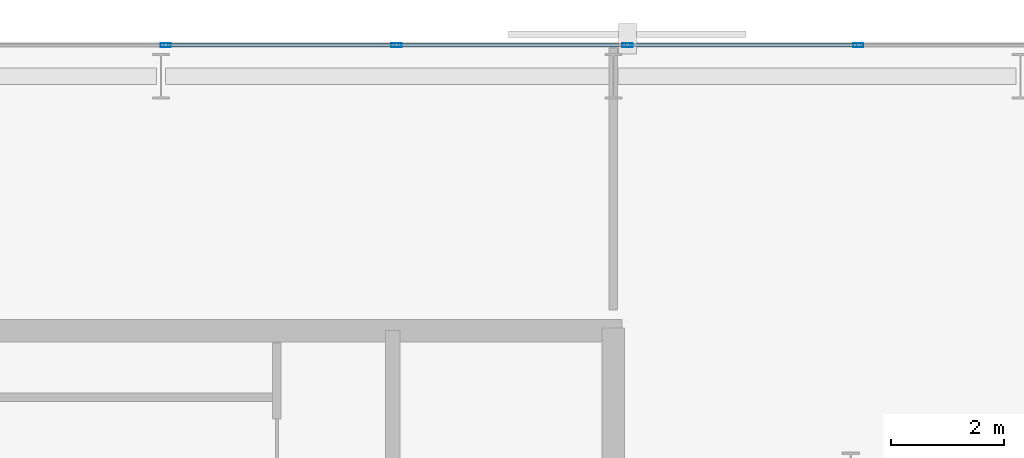
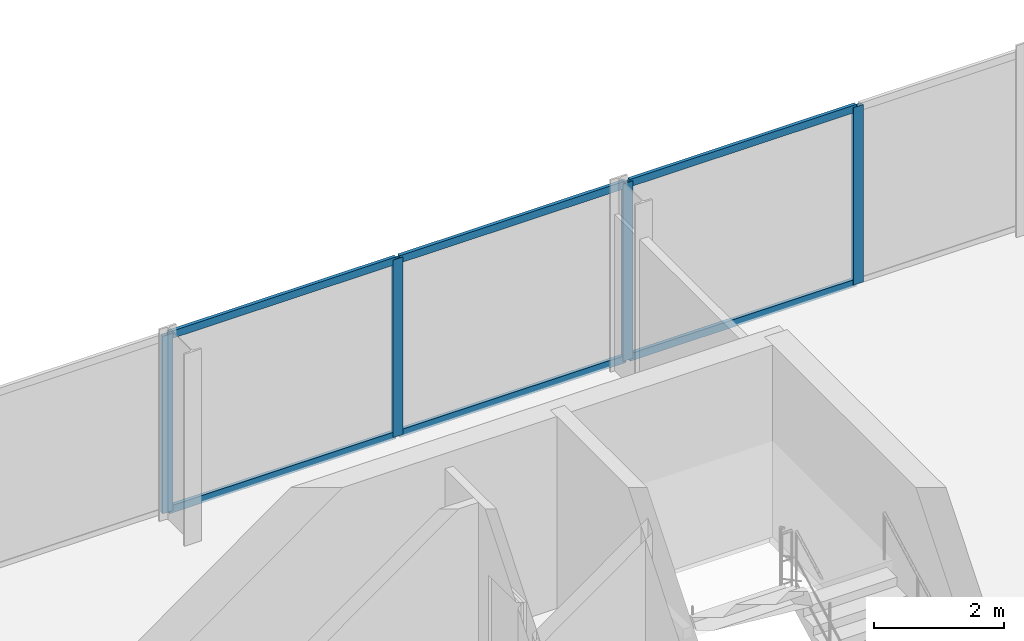
# One storey, part 26 of 33: 10 members, 1 element without a shape of its own.
"""IFC4 building model written with IfcOpenShell, lengths in metres."""

from ifc_helpers import new_model, si_unit, direction, frame, origin, origin_2d, place, context, subcontext, project, spatial, hollow_rectangle, extrude, material, layer, layer_set, material_profile, profile_set, type_object, element, aggregate, save


model = new_model("IFC4")

# Units and contexts
model_context = context("Model", 3, precision=1e-05, world=origin(), true_north=direction((0.0, 1.0)))
body_context = subcontext(model_context, "Body", "Model", "MODEL_VIEW")
ifc_project = project(units=[si_unit("LENGTHUNIT", "METRE"), si_unit("AREAUNIT", "SQUARE_METRE"), si_unit("VOLUMEUNIT", "CUBIC_METRE"), si_unit("PLANEANGLEUNIT", "RADIAN"), si_unit("MASSUNIT", "GRAM", prefix="KILO")], contexts=[model_context])

# Site, building, storey
site_placement = place(None, origin())
site = spatial("IfcSite", under=ifc_project, at=site_placement, CompositionType="ELEMENT")
building_placement = place(site_placement, origin())
building = spatial("IfcBuilding", under=site, at=building_placement, Name="Catumbela Crestline Tower", CompositionType="ELEMENT")
storey_placement = place(building_placement, frame((0.0, 0.0, 58.2)))
storey = spatial("IfcBuildingStorey", under=building, at=storey_placement, Name="L14", CompositionType="ELEMENT", Elevation=58.2)

# Curtain wall, members
ifc_material = material(Name="Aluminium alloy AW-6060-T66", Category="aluminium")
ifc_layer = layer(ifc_material, 0.18, Name="Aluminium alloy AW-6060-T66")
ifc_layer_set = layer_set([ifc_layer], Name="Aluminium alloy AW-6060-T66")
curtain_wall_type = type_object("IfcCurtainWallType", Name="CWU-Z1", PredefinedType="USERDEFINED", material=ifc_layer_set)
curtain_wall_placement = place(storey_placement, origin())
curtain_wall = element("IfcCurtainWall", 1, at=curtain_wall_placement, inside=storey, type_object=curtain_wall_type, Name="L14 Unitised Curtain Wall CW-L14-E7S1", ObjectType="UNITISED", PredefinedType="USERDEFINED")
ifc_material_profile_1 = material_profile(ifc_material, hollow_rectangle(XDim=0.065, YDim=0.18, WallThickness=0.004, at=origin_2d()), Name="ALU 180x65x4")
ifc_profile_set_1 = profile_set([ifc_material_profile_1], Name="Aluminium alloy AW-6060-T66")
member_type_1 = type_object("IfcMemberType", Name="MUL-180X65", PredefinedType="MULLION", material=ifc_profile_set_1)
member_1_placement = place(storey_placement, frame((44.3333, 47.95, 0.0), z_axis=(0.0, 0.0, 1.0), x_axis=(0.0, -1.0, 0.0)))
member_1 = element("IfcMember", 2, at=member_1_placement, type_object=member_type_1, Name="CWU-Z1 mullion 3", PredefinedType="MULLION", context=body_context, shape_type="SweptSolid", body=[
    extrude(hollow_rectangle(XDim=0.065, YDim=0.18, WallThickness=0.004, at=origin_2d()), origin(), (0.0, 0.0, 1.0), 3.33),
])
member_2_placement = place(storey_placement, frame((40.25, 47.95, 0.0), z_axis=(0.0, 0.0, 1.0), x_axis=(0.0, -1.0, 0.0)))
member_2 = element("IfcMember", 3, at=member_2_placement, type_object=member_type_1, Name="CWU-Z1 mullion 4", PredefinedType="MULLION", context=body_context, shape_type="SweptSolid", body=[
    extrude(hollow_rectangle(XDim=0.065, YDim=0.18, WallThickness=0.004, at=origin_2d()), origin(), (0.0, 0.0, 1.0), 3.33),
])
member_3_placement = place(storey_placement, frame((36.1667, 47.95, 0.0), z_axis=(0.0, 0.0, 1.0), x_axis=(0.0, -1.0, 0.0)))
member_3 = element("IfcMember", 4, at=member_3_placement, type_object=member_type_1, Name="CWU-Z1 mullion 5", PredefinedType="MULLION", context=body_context, shape_type="SweptSolid", body=[
    extrude(hollow_rectangle(XDim=0.065, YDim=0.18, WallThickness=0.004, at=origin_2d()), origin(), (0.0, 0.0, 1.0), 3.33),
])
member_4_placement = place(storey_placement, frame((32.0833, 47.95, 0.0), z_axis=(0.0, 0.0, 1.0), x_axis=(0.0, -1.0, 0.0)))
member_4 = element("IfcMember", 5, at=member_4_placement, type_object=member_type_1, Name="CWU-Z1 mullion 6", PredefinedType="MULLION", context=body_context, shape_type="SweptSolid", body=[
    extrude(hollow_rectangle(XDim=0.065, YDim=0.18, WallThickness=0.004, at=origin_2d()), origin(), (0.0, 0.0, 1.0), 3.33),
])
ifc_material_profile_2 = material_profile(ifc_material, hollow_rectangle(XDim=0.06, YDim=0.14, WallThickness=0.004, at=origin_2d()), Name="ALU 140x60x4")
ifc_profile_set_2 = profile_set([ifc_material_profile_2], Name="Aluminium alloy AW-6060-T66")
member_type_2 = type_object("IfcMemberType", Name="TRN-140X60", PredefinedType="USERDEFINED", material=ifc_profile_set_2)
member_5_placement = place(storey_placement, frame((44.3008, 47.95, 0.03), z_axis=(-1.0, 0.0, 0.0), x_axis=(0.0, -1.0, 0.0)))
member_5 = element("IfcMember", 6, at=member_5_placement, type_object=member_type_2, Name="CWU-Z1 transom 3.1", ObjectType="TRANSOM", PredefinedType="USERDEFINED", context=body_context, shape_type="SweptSolid", body=[
    extrude(hollow_rectangle(XDim=0.06, YDim=0.14, WallThickness=0.004, at=origin_2d()), origin(), (0.0, 0.0, 1.0), 4.0183),
])
member_6_placement = place(storey_placement, frame((44.3008, 47.95, 3.3), z_axis=(-1.0, 0.0, 0.0), x_axis=(0.0, -1.0, 0.0)))
member_6 = element("IfcMember", 7, at=member_6_placement, type_object=member_type_2, Name="CWU-Z1 transom 3.2", ObjectType="TRANSOM", PredefinedType="USERDEFINED", context=body_context, shape_type="SweptSolid", body=[
    extrude(hollow_rectangle(XDim=0.06, YDim=0.14, WallThickness=0.004, at=origin_2d()), origin(), (0.0, 0.0, 1.0), 4.0183),
])
member_7_placement = place(storey_placement, frame((40.2175, 47.95, 0.03), z_axis=(-1.0, 0.0, 0.0), x_axis=(0.0, -1.0, 0.0)))
member_7 = element("IfcMember", 8, at=member_7_placement, type_object=member_type_2, Name="CWU-Z1 transom 4.1", ObjectType="TRANSOM", PredefinedType="USERDEFINED", context=body_context, shape_type="SweptSolid", body=[
    extrude(hollow_rectangle(XDim=0.06, YDim=0.14, WallThickness=0.004, at=origin_2d()), origin(), (0.0, 0.0, 1.0), 4.0183),
])
member_8_placement = place(storey_placement, frame((40.2175, 47.95, 3.3), z_axis=(-1.0, 0.0, 0.0), x_axis=(0.0, -1.0, 0.0)))
member_8 = element("IfcMember", 9, at=member_8_placement, type_object=member_type_2, Name="CWU-Z1 transom 4.2", ObjectType="TRANSOM", PredefinedType="USERDEFINED", context=body_context, shape_type="SweptSolid", body=[
    extrude(hollow_rectangle(XDim=0.06, YDim=0.14, WallThickness=0.004, at=origin_2d()), origin(), (0.0, 0.0, 1.0), 4.0183),
])
member_9_placement = place(storey_placement, frame((36.1342, 47.95, 0.03), z_axis=(-1.0, 0.0, 0.0), x_axis=(0.0, -1.0, 0.0)))
member_9 = element("IfcMember", 10, at=member_9_placement, type_object=member_type_2, Name="CWU-Z1 transom 5.1", ObjectType="TRANSOM", PredefinedType="USERDEFINED", context=body_context, shape_type="SweptSolid", body=[
    extrude(hollow_rectangle(XDim=0.06, YDim=0.14, WallThickness=0.004, at=origin_2d()), origin(), (0.0, 0.0, 1.0), 4.0184),
])
member_10_placement = place(storey_placement, frame((36.1342, 47.95, 3.3), z_axis=(-1.0, 0.0, 0.0), x_axis=(0.0, -1.0, 0.0)))
member_10 = element("IfcMember", 11, at=member_10_placement, type_object=member_type_2, Name="CWU-Z1 transom 5.2", ObjectType="TRANSOM", PredefinedType="USERDEFINED", context=body_context, shape_type="SweptSolid", body=[
    extrude(hollow_rectangle(XDim=0.06, YDim=0.14, WallThickness=0.004, at=origin_2d()), origin(), (0.0, 0.0, 1.0), 4.0184),
])
aggregate(curtain_wall, [member_1, member_2, member_3, member_4, member_5, member_6, member_7, member_8, member_9, member_10])

save(model, "model.ifc")
